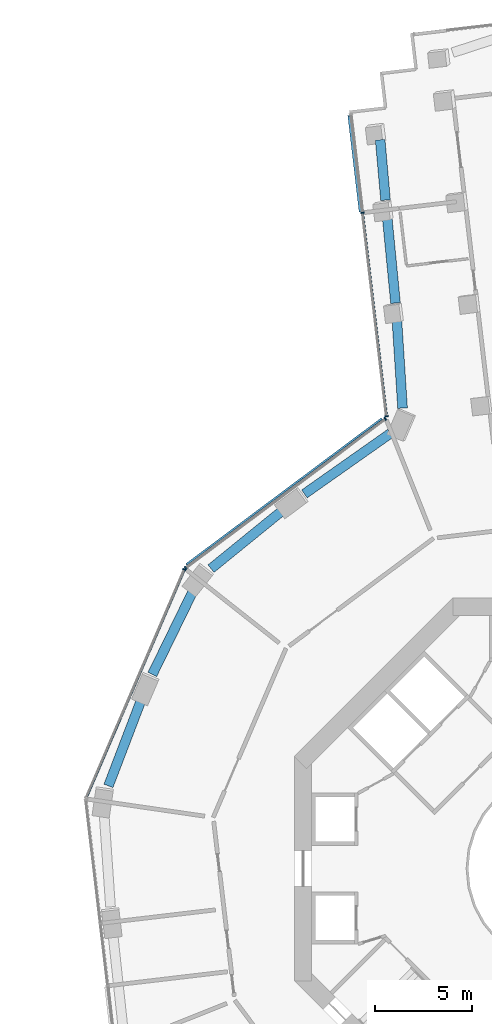
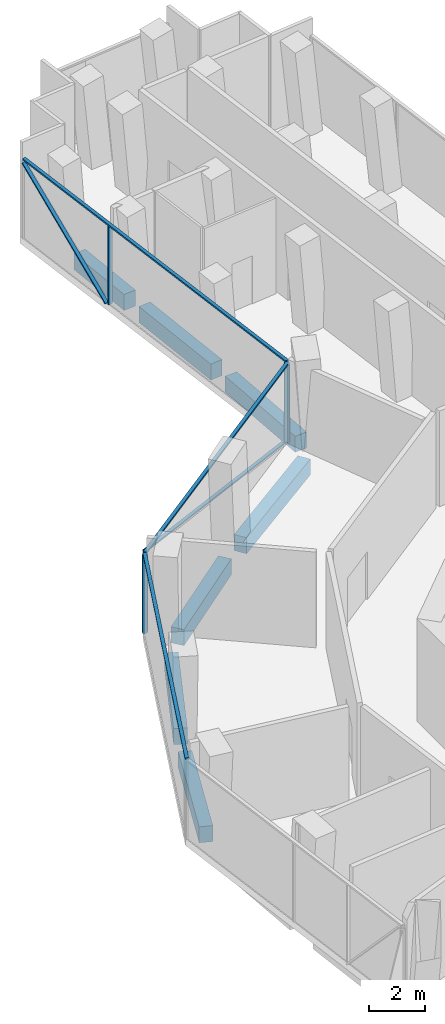
# One storey, part 6 of 17: 10 members, 7 beams, 3 elements without a shape of their own.
"""IFC4 building model written with IfcOpenShell, lengths in metres."""

from ifc_helpers import new_model, si_unit, direction, frame, origin, origin_2d, place, context, subcontext, project, spatial, rectangle, extrude, material, layer, layer_set, material_profile, profile_set, type_object, element, aggregate, save


model = new_model("IFC4")

# Units and contexts
model_context = context("Model", 3, precision=1e-05, world=origin(), true_north=direction((0.0, 1.0)))
body_context = subcontext(model_context, "Body", "Model", "MODEL_VIEW")
ifc_project = project(units=[si_unit("LENGTHUNIT", "METRE"), si_unit("AREAUNIT", "SQUARE_METRE"), si_unit("VOLUMEUNIT", "CUBIC_METRE"), si_unit("PLANEANGLEUNIT", "RADIAN"), si_unit("MASSUNIT", "GRAM", prefix="KILO")], contexts=[model_context])

# Site, building, storey
site_placement = place(None, origin())
site = spatial("IfcSite", under=ifc_project, at=site_placement, CompositionType="ELEMENT")
building_placement = place(site_placement, origin())
building = spatial("IfcBuilding", under=site, at=building_placement, Name="Verdalira Terraces Hotel", CompositionType="ELEMENT")
storey_placement = place(building_placement, frame((0.0, 0.0, 60.0)))
storey = spatial("IfcBuildingStorey", under=building, at=storey_placement, Name="L13", CompositionType="ELEMENT", Elevation=60.0)

# Curtain wall, members
ifc_material_1 = material(Name="Clear glass", Category="glass")
ifc_layer = layer(ifc_material_1, 0.179931640625)
ifc_layer_set = layer_set([ifc_layer], Name="CW4 curtain wall")
curtain_wall_type = type_object("IfcCurtainWallType", Name="CW4 curtain wall", PredefinedType="NOTDEFINED", material=ifc_layer_set)
curtain_wall_1_placement = place(storey_placement, origin())
curtain_wall_1 = element("IfcCurtainWall", 1, at=curtain_wall_1_placement, inside=storey, type_object=curtain_wall_type, Name="CW4 curtain wall L13 edge 10", PredefinedType="NOTDEFINED")
ifc_material_2 = material(Name="Terracotta frame", Category="masonry")
ifc_material_profile_1 = material_profile(ifc_material_2, rectangle(XDim=0.064941, YDim=0.179932, at=origin_2d()), Name="MU 65x180")
ifc_profile_set_1 = profile_set([ifc_material_profile_1], Name="Terracotta frame")
member_type_1 = type_object("IfcMemberType", Name="CW4 mullion 65x180", PredefinedType="MULLION", material=ifc_profile_set_1)
member_1_placement = place(storey_placement, frame((-10.47998, 33.90918, 0.0), z_axis=(0.0, 0.0, 1.0), x_axis=(0.117017412, -0.993129863, 0.0)))
member_1 = element("IfcMember", 2, at=member_1_placement, type_object=member_type_1, Name="CW4 mullion", PredefinedType="MULLION", context=body_context, shape_type="SweptSolid", body=[
    extrude(rectangle(XDim=0.064941, YDim=0.179932, at=origin_2d()), origin(), (0.0, 0.0, 1.0), 3.419922),
])
member_2_placement = place(storey_placement, frame((-9.240234, 23.387451, 0.0), z_axis=(0.0, 0.0, 1.0), x_axis=(0.117017412, -0.993129863, 0.0)))
member_2 = element("IfcMember", 3, at=member_2_placement, type_object=member_type_1, Name="CW4 mullion", PredefinedType="MULLION", context=body_context, shape_type="SweptSolid", body=[
    extrude(rectangle(XDim=0.064941, YDim=0.179932, at=origin_2d()), origin(), (0.0, 0.0, 1.0), 3.419922),
])

curtain_wall_2_placement = place(storey_placement, origin())
curtain_wall_2 = element("IfcCurtainWall", 4, at=curtain_wall_2_placement, inside=storey, type_object=curtain_wall_type, Name="CW4 curtain wall L13 edge 11", PredefinedType="NOTDEFINED")
member_3_placement = place(storey_placement, frame((-9.298096, 23.253174, 0.0), z_axis=(0.0, 0.0, 1.0), x_axis=(-0.801566985, -0.597904983, 0.0)))
member_3 = element("IfcMember", 5, at=member_3_placement, type_object=member_type_1, Name="CW4 mullion", PredefinedType="MULLION", context=body_context, shape_type="SweptSolid", body=[
    extrude(rectangle(XDim=0.064941, YDim=0.179932, at=origin_2d()), origin(), (0.0, 0.0, 1.0), 3.419922),
])
member_4_placement = place(storey_placement, frame((-19.620117, 15.553711, 0.0), z_axis=(0.0, 0.0, 1.0), x_axis=(-0.801566985, -0.597904983, 0.0)))
member_4 = element("IfcMember", 6, at=member_4_placement, type_object=member_type_1, Name="CW4 mullion", PredefinedType="MULLION", context=body_context, shape_type="SweptSolid", body=[
    extrude(rectangle(XDim=0.064941, YDim=0.179932, at=origin_2d()), origin(), (0.0, 0.0, 1.0), 3.419922),
])

# Curtain wall, member
curtain_wall_3_placement = place(storey_placement, origin())
curtain_wall_3 = element("IfcCurtainWall", 7, at=curtain_wall_3_placement, inside=storey, type_object=curtain_wall_type, Name="CW4 curtain wall L13 edge 12", PredefinedType="NOTDEFINED")
member_5_placement = place(storey_placement, frame((-19.687988, 15.467773, 0.0), z_axis=(0.0, 0.0, 1.0), x_axis=(-0.39522488, -0.918584397, 0.0)))
member_5 = element("IfcMember", 8, at=member_5_placement, type_object=member_type_1, Name="CW4 mullion", PredefinedType="MULLION", context=body_context, shape_type="SweptSolid", body=[
    extrude(rectangle(XDim=0.064941, YDim=0.179932, at=origin_2d()), origin(), (0.0, 0.0, 1.0), 3.419922),
])

# Member
ifc_material_3 = material(Name="Terracotta frame", Category="masonry")
ifc_material_profile_2 = material_profile(ifc_material_3, rectangle(XDim=0.139893, YDim=0.070068, at=origin_2d()), Name="TR 70x140")
ifc_profile_set_2 = profile_set([ifc_material_profile_2], Name="Terracotta frame")
member_type_2 = type_object("IfcMemberType", Name="CW4 transom 70x140", PredefinedType="USERDEFINED", material=ifc_profile_set_2)
member_6_placement = place(storey_placement, frame((-11.085205, 39.045654, 3.455078), z_axis=(0.117025046, -0.993128964, 0.0), x_axis=(0.993128964, 0.117025046, 0.0)))
member_6 = element("IfcMember", 9, at=member_6_placement, type_object=member_type_2, Name="CW4 transom", ObjectType="TRANSOM", PredefinedType="USERDEFINED", context=body_context, shape_type="SweptSolid", body=[
    extrude(rectangle(XDim=0.139893, YDim=0.070068, at=origin_2d()), origin(), (0.0, 0.0, 1.0), 15.799072),
])

member_7_placement = place(storey_placement, frame((-9.271973, 23.272705, 3.455078), z_axis=(-0.801561433, -0.597912426, 0.0), x_axis=(0.597912426, -0.801561433, 0.0)))
member_7 = element("IfcMember", 10, at=member_7_placement, type_object=member_type_2, Name="CW4 transom", ObjectType="TRANSOM", PredefinedType="USERDEFINED", context=body_context, shape_type="SweptSolid", body=[
    extrude(rectangle(XDim=0.139893, YDim=0.070068, at=origin_2d()), origin(), (0.0, 0.0, 1.0), 12.942627),
])

member_8_placement = place(storey_placement, frame((-19.675049, 15.497559, 3.455078), z_axis=(-0.395230283, -0.918582072, 0.0), x_axis=(0.918582072, -0.395230283, 0.0)))
member_8 = element("IfcMember", 11, at=member_8_placement, type_object=member_type_2, Name="CW4 transom", ObjectType="TRANSOM", PredefinedType="USERDEFINED", context=body_context, shape_type="SweptSolid", body=[
    extrude(rectangle(XDim=0.139893, YDim=0.070068, at=origin_2d()), origin(), (0.0, 0.0, 1.0), 12.919678),
])

aggregate(curtain_wall_3, [member_5, member_8])

ifc_material_4 = material(Name="Terracotta frame", Category="masonry")
ifc_material_profile_3 = material_profile(ifc_material_4, rectangle(XDim=0.149902, YDim=0.060059, at=origin_2d()), Name="GB 60x150")
ifc_profile_set_3 = profile_set([ifc_material_profile_3], Name="Terracotta frame")
member_type_3 = type_object("IfcMemberType", Name="Diagonal glazing bar 60x150", PredefinedType="USERDEFINED", material=ifc_profile_set_3)
member_9_placement = place(storey_placement, frame((-11.165527, 38.931885, 3.394043), z_axis=(0.097063834, -0.823543691, -0.558886751), x_axis=(0.993125906, 0.117050995, 0.0)))
member_9 = element("IfcMember", 12, at=member_9_placement, type_object=member_type_3, Name="Diagonal glazing bar", ObjectType="GLAZING BAR", PredefinedType="USERDEFINED", context=body_context, shape_type="SweptSolid", body=[
    extrude(rectangle(XDim=0.149902, YDim=0.060059, at=origin_2d()), origin(), (0.0, 0.0, 1.0), 6.026611),
])

aggregate(curtain_wall_1, [member_1, member_2, member_6, member_9])

member_10_placement = place(storey_placement, frame((-9.468262, 23.242188, 0.029541), z_axis=(-0.7744556, -0.577680447, 0.257883355), x_axis=(0.597903914, -0.801567782, 0.0)))
member_10 = element("IfcMember", 13, at=member_10_placement, type_object=member_type_3, Name="Diagonal glazing bar", ObjectType="GLAZING BAR", PredefinedType="USERDEFINED", context=body_context, shape_type="SweptSolid", body=[
    extrude(rectangle(XDim=0.149902, YDim=0.060059, at=origin_2d()), origin(), (0.0, 0.0, 1.0), 13.032471),
])

aggregate(curtain_wall_2, [member_3, member_4, member_7, member_10])

# Beams
ifc_material_5 = material(Name="Concrete C70", Category="concrete")
ifc_material_profile_4 = material_profile(ifc_material_5, rectangle(XDim=0.5, YDim=0.699951, at=origin_2d()), Name="RC 500X700")
ifc_profile_set_4 = profile_set([ifc_material_profile_4], Name="Concrete C70")
beam_type = type_object("IfcBeamType", Name="Spandrel beam RC 500X700 C70", PredefinedType="SPANDREL", material=ifc_profile_set_4)
beam_1_placement = place(storey_placement, frame((-9.563965, 37.682861, -0.659912), z_axis=(0.089207987, -0.99601302, 0.0), x_axis=(0.99601302, 0.089207987, 0.0)))
element("IfcBeam", 14, at=beam_1_placement, inside=storey, type_object=beam_type, Name="Spandrel beam B05", PredefinedType="SPANDREL", context=body_context, shape_type="SweptSolid", body=[
    extrude(rectangle(XDim=0.5, YDim=0.699951, at=origin_2d()), origin(), (0.0, 0.0, 1.0), 3.133545),
])
beam_2_placement = place(storey_placement, frame((-9.199951, 33.659912, -0.659912), z_axis=(0.097069403, -0.995277615, 0.0), x_axis=(0.995277615, 0.097069403, 0.0)))
element("IfcBeam", 15, at=beam_2_placement, inside=storey, type_object=beam_type, Name="Spandrel beam B06", PredefinedType="SPANDREL", context=body_context, shape_type="SweptSolid", body=[
    extrude(rectangle(XDim=0.5, YDim=0.699951, at=origin_2d()), origin(), (0.0, 0.0, 1.0), 4.439209),
])
beam_3_placement = place(storey_placement, frame((-8.695557, 28.329346, -0.659912), z_axis=(0.064210816, -0.997936356, 0.0), x_axis=(0.997936356, 0.064210816, 0.0)))
element("IfcBeam", 16, at=beam_3_placement, inside=storey, type_object=beam_type, Name="Spandrel beam B07", PredefinedType="SPANDREL", context=body_context, shape_type="SweptSolid", body=[
    extrude(rectangle(XDim=0.5, YDim=0.699951, at=origin_2d()), origin(), (0.0, 0.0, 1.0), 4.52832),
])
beam_4_placement = place(storey_placement, frame((-9.031494, 22.50415, -0.659912), z_axis=(-0.817729731, -0.575602368, 0.0), x_axis=(0.575602368, -0.817729731, 0.0)))
element("IfcBeam", 17, at=beam_4_placement, inside=storey, type_object=beam_type, Name="Spandrel beam B08", PredefinedType="SPANDREL", context=body_context, shape_type="SweptSolid", body=[
    extrude(rectangle(XDim=0.5, YDim=0.699951, at=origin_2d()), origin(), (0.0, 0.0, 1.0), 5.438965),
])
beam_5_placement = place(storey_placement, frame((-14.61792, 18.510498, -0.659912), z_axis=(-0.775986785, -0.630749166, 0.0), x_axis=(0.630749166, -0.775986785, 0.0)))
element("IfcBeam", 18, at=beam_5_placement, inside=storey, type_object=beam_type, Name="Spandrel beam B09", PredefinedType="SPANDREL", context=body_context, shape_type="SweptSolid", body=[
    extrude(rectangle(XDim=0.5, YDim=0.699951, at=origin_2d()), origin(), (0.0, 0.0, 1.0), 4.755371),
])
beam_6_placement = place(storey_placement, frame((-19.254883, 14.316406, -0.659912), z_axis=(-0.438800618, -0.898584452, 0.0), x_axis=(0.898584452, -0.438800618, 0.0)))
element("IfcBeam", 19, at=beam_6_placement, inside=storey, type_object=beam_type, Name="Spandrel beam B10", PredefinedType="SPANDREL", context=body_context, shape_type="SweptSolid", body=[
    extrude(rectangle(XDim=0.5, YDim=0.699951, at=origin_2d()), origin(), (0.0, 0.0, 1.0), 4.758789),
])
beam_7_placement = place(storey_placement, frame((-21.914795, 8.721436, -0.659912), z_axis=(-0.356659202, -0.93423456, 0.0), x_axis=(0.93423456, -0.356659202, 0.0)))
element("IfcBeam", 20, at=beam_7_placement, inside=storey, type_object=beam_type, Name="Spandrel beam B11", PredefinedType="SPANDREL", context=body_context, shape_type="SweptSolid", body=[
    extrude(rectangle(XDim=0.5, YDim=0.699951, at=origin_2d()), origin(), (0.0, 0.0, 1.0), 4.755371),
])

save(model, "model.ifc")
